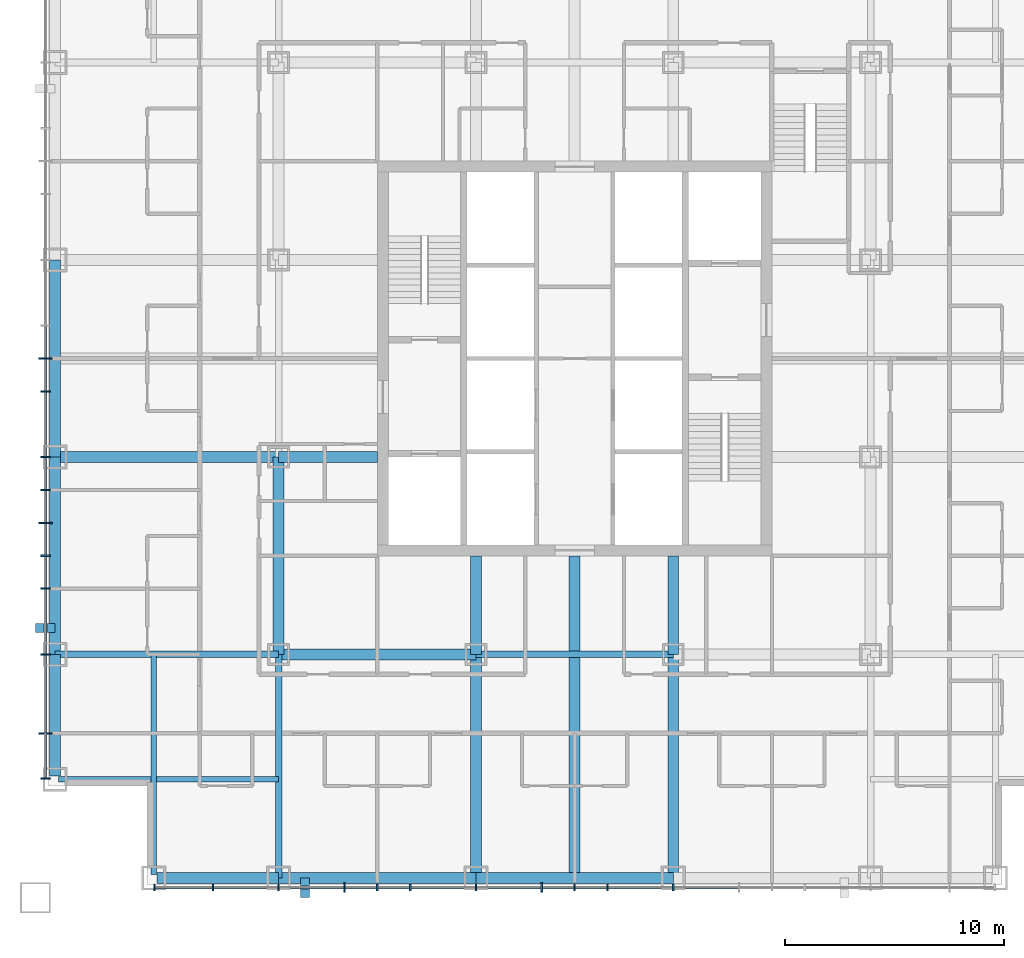
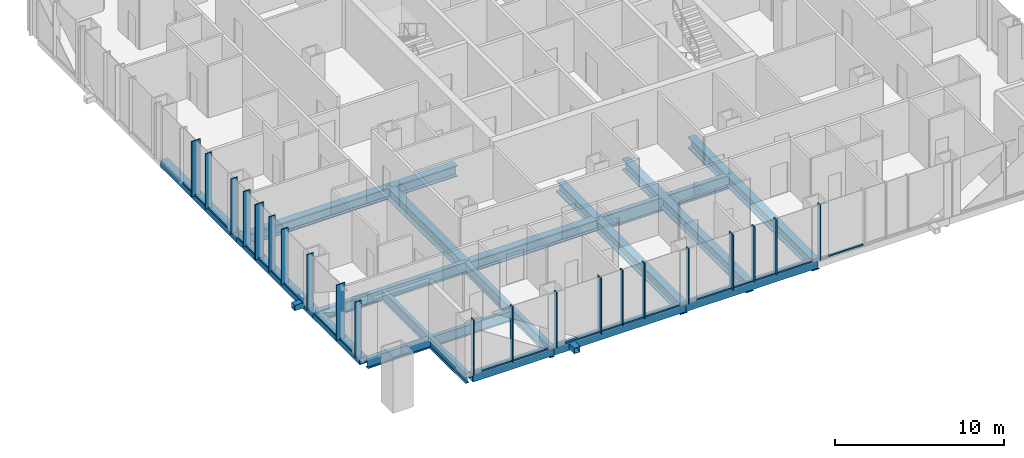
# One storey, part 2 of 14: 44 members, 20 beams, 2 elements without a shape of their own.
"""IFC4 building model written with IfcOpenShell, lengths in metres."""

from ifc_helpers import new_model, si_unit, direction, frame, origin, origin_2d, place, context, subcontext, project, spatial, rectangle, hollow_rectangle, i_section, extrude, material, layer, layer_set, material_profile, profile_set, type_object, element, aggregate, save


model = new_model("IFC4")

# Units and contexts
model_context = context("Model", 3, precision=1e-05, world=origin(), true_north=direction((0.0, 1.0)))
body_context = subcontext(model_context, "Body", "Model", "MODEL_VIEW")
ifc_project = project(units=[si_unit("LENGTHUNIT", "METRE"), si_unit("AREAUNIT", "SQUARE_METRE"), si_unit("VOLUMEUNIT", "CUBIC_METRE"), si_unit("PLANEANGLEUNIT", "RADIAN"), si_unit("MASSUNIT", "GRAM", prefix="KILO")], contexts=[model_context])

# Site, building, storey
site_placement = place(None, origin())
site = spatial("IfcSite", under=ifc_project, at=site_placement, CompositionType="ELEMENT")
building_placement = place(site_placement, origin())
building = spatial("IfcBuilding", under=site, at=building_placement, Name="Malebo Sky Hospital", CompositionType="ELEMENT")
storey_placement = place(building_placement, frame((0.0, 0.0, 164.0)))
storey = spatial("IfcBuildingStorey", under=building, at=storey_placement, Name="L39", CompositionType="ELEMENT", Elevation=164.0)

# Curtain wall, members
ifc_material_1 = material(Name="Anodised aluminium, natural silver", Category="aluminium")
ifc_layer_1 = layer(ifc_material_1, 0.25)
ifc_layer_set_1 = layer_set([ifc_layer_1], Name="WARD CURTAIN WALL EAST AND WEST")
curtain_wall_type_1 = type_object("IfcCurtainWallType", Name="WARD CURTAIN WALL EAST AND WEST", PredefinedType="NOTDEFINED", material=ifc_layer_set_1)
curtain_wall_1_placement = place(storey_placement, origin())
curtain_wall_1 = element("IfcCurtainWall", 1, at=curtain_wall_1_placement, inside=storey, type_object=curtain_wall_type_1, Name="EW curtain wall W", PredefinedType="NOTDEFINED")
ifc_material_profile_1 = material_profile(ifc_material_1, rectangle(XDim=0.14990234375, YDim=0.10009765625, at=origin_2d()), Name="ALUMINIUM TRANSOM 150x100")
ifc_profile_set_1 = profile_set([ifc_material_profile_1], Name="Anodised aluminium, natural silver")
member_type_1 = type_object("IfcMemberType", Name="ALUMINIUM TRANSOM 150x100", PredefinedType="USERDEFINED", material=ifc_profile_set_1)
member_1_placement = place(storey_placement, frame((35.864990234375, 42.875, 0.050048828125), z_axis=(0.0, 1.0, 0.0), x_axis=(-1.0, 0.0, 0.0)))
member_1 = element("IfcMember", 2, at=member_1_placement, type_object=member_type_1, Name="Transom 1", ObjectType="TRANSOM", PredefinedType="USERDEFINED", context=body_context, shape_type="SweptSolid", body=[
    extrude(rectangle(XDim=0.14990234375, YDim=0.10009765625, at=origin_2d()), origin(), (0.0, 0.0, 1.0), 1.987548828125),
])
member_2_placement = place(storey_placement, frame((35.864990234375, 44.9375, 0.050048828125), z_axis=(0.0, 1.0, 0.0), x_axis=(-1.0, 0.0, 0.0)))
member_2 = element("IfcMember", 3, at=member_2_placement, type_object=member_type_1, Name="Transom 2", ObjectType="TRANSOM", PredefinedType="USERDEFINED", context=body_context, shape_type="SweptSolid", body=[
    extrude(rectangle(XDim=0.14990234375, YDim=0.10009765625, at=origin_2d()), origin(), (0.0, 0.0, 1.0), 3.52490234375),
])
member_3_placement = place(storey_placement, frame((35.864990234375, 48.53759765625, 0.050048828125), z_axis=(0.0, 1.0, 0.0), x_axis=(-1.0, 0.0, 0.0)))
member_3 = element("IfcMember", 4, at=member_3_placement, type_object=member_type_1, Name="Transom 3", ObjectType="TRANSOM", PredefinedType="USERDEFINED", context=body_context, shape_type="SweptSolid", body=[
    extrude(rectangle(XDim=0.14990234375, YDim=0.10009765625, at=origin_2d()), origin(), (0.0, 0.0, 1.0), 2.9248046875),
])
member_4_placement = place(storey_placement, frame((35.864990234375, 51.53759765625, 0.050048828125), z_axis=(0.0, 1.0, 0.0), x_axis=(-1.0, 0.0, 0.0)))
member_4 = element("IfcMember", 5, at=member_4_placement, type_object=member_type_1, Name="Transom 4", ObjectType="TRANSOM", PredefinedType="USERDEFINED", context=body_context, shape_type="SweptSolid", body=[
    extrude(rectangle(XDim=0.14990234375, YDim=0.10009765625, at=origin_2d()), origin(), (0.0, 0.0, 1.0), 1.4248046875),
])
member_5_placement = place(storey_placement, frame((35.864990234375, 53.03759765625, 0.050048828125), z_axis=(0.0, 1.0, 0.0), x_axis=(-1.0, 0.0, 0.0)))
member_5 = element("IfcMember", 6, at=member_5_placement, type_object=member_type_1, Name="Transom 5", ObjectType="TRANSOM", PredefinedType="USERDEFINED", context=body_context, shape_type="SweptSolid", body=[
    extrude(rectangle(XDim=0.14990234375, YDim=0.10009765625, at=origin_2d()), origin(), (0.0, 0.0, 1.0), 1.4248046875),
])
member_6_placement = place(storey_placement, frame((35.864990234375, 54.53759765625, 0.050048828125), z_axis=(0.0, 1.0, 0.0), x_axis=(-1.0, 0.0, 0.0)))
member_6 = element("IfcMember", 7, at=member_6_placement, type_object=member_type_1, Name="Transom 6", ObjectType="TRANSOM", PredefinedType="USERDEFINED", context=body_context, shape_type="SweptSolid", body=[
    extrude(rectangle(XDim=0.14990234375, YDim=0.10009765625, at=origin_2d()), origin(), (0.0, 0.0, 1.0), 1.4248046875),
])
member_7_placement = place(storey_placement, frame((35.864990234375, 56.03759765625, 0.050048828125), z_axis=(0.0, 1.0, 0.0), x_axis=(-1.0, 0.0, 0.0)))
member_7 = element("IfcMember", 8, at=member_7_placement, type_object=member_type_1, Name="Transom 7", ObjectType="TRANSOM", PredefinedType="USERDEFINED", context=body_context, shape_type="SweptSolid", body=[
    extrude(rectangle(XDim=0.14990234375, YDim=0.10009765625, at=origin_2d()), origin(), (0.0, 0.0, 1.0), 1.4248046875),
])
member_8_placement = place(storey_placement, frame((35.864990234375, 57.53759765625, 0.050048828125), z_axis=(0.0, 1.0, 0.0), x_axis=(-1.0, 0.0, 0.0)))
member_8 = element("IfcMember", 9, at=member_8_placement, type_object=member_type_1, Name="Transom 8", ObjectType="TRANSOM", PredefinedType="USERDEFINED", context=body_context, shape_type="SweptSolid", body=[
    extrude(rectangle(XDim=0.14990234375, YDim=0.10009765625, at=origin_2d()), origin(), (0.0, 0.0, 1.0), 2.9248046875),
])
member_9_placement = place(storey_placement, frame((35.864990234375, 60.53759765625, 0.050048828125), z_axis=(0.0, 1.0, 0.0), x_axis=(-1.0, 0.0, 0.0)))
member_9 = element("IfcMember", 10, at=member_9_placement, type_object=member_type_1, Name="Transom 9", ObjectType="TRANSOM", PredefinedType="USERDEFINED", context=body_context, shape_type="SweptSolid", body=[
    extrude(rectangle(XDim=0.14990234375, YDim=0.10009765625, at=origin_2d()), origin(), (0.0, 0.0, 1.0), 1.4248046875),
])
member_10_placement = place(storey_placement, frame((35.864990234375, 62.03759765625, 0.050048828125), z_axis=(0.0, 1.0, 0.0), x_axis=(-1.0, 0.0, 0.0)))
member_10 = element("IfcMember", 11, at=member_10_placement, type_object=member_type_1, Name="Transom 10", ObjectType="TRANSOM", PredefinedType="USERDEFINED", context=body_context, shape_type="SweptSolid", body=[
    extrude(rectangle(XDim=0.14990234375, YDim=0.10009765625, at=origin_2d()), origin(), (0.0, 0.0, 1.0), 1.4248046875),
])

ifc_layer_2 = layer(ifc_material_1, 0.25)
ifc_layer_set_2 = layer_set([ifc_layer_2], Name="WARD CURTAIN WALL NORTH AND SOUTH")
curtain_wall_type_2 = type_object("IfcCurtainWallType", Name="WARD CURTAIN WALL NORTH AND SOUTH", PredefinedType="NOTDEFINED", material=ifc_layer_set_2)
curtain_wall_2_placement = place(storey_placement, origin())
curtain_wall_2 = element("IfcCurtainWall", 12, at=curtain_wall_2_placement, inside=storey, type_object=curtain_wall_type_2, Name="NS curtain wall S", PredefinedType="NOTDEFINED")
member_11_placement = place(storey_placement, frame((67.46240234375, 37.864990234375, 0.050048828125), z_axis=(-1.0, 0.0, 0.0), x_axis=(0.0, -1.0, 0.0)))
member_11 = element("IfcMember", 13, at=member_11_placement, type_object=member_type_1, Name="Transom 6", ObjectType="TRANSOM", PredefinedType="USERDEFINED", context=body_context, shape_type="SweptSolid", body=[
    extrude(rectangle(XDim=0.14990234375, YDim=0.10009765625, at=origin_2d()), origin(), (0.0, 0.0, 1.0), 2.9248046875),
])
member_12_placement = place(storey_placement, frame((64.46240234375, 37.864990234375, 0.050048828125), z_axis=(-1.0, 0.0, 0.0), x_axis=(0.0, -1.0, 0.0)))
member_12 = element("IfcMember", 14, at=member_12_placement, type_object=member_type_1, Name="Transom 7", ObjectType="TRANSOM", PredefinedType="USERDEFINED", context=body_context, shape_type="SweptSolid", body=[
    extrude(rectangle(XDim=0.14990234375, YDim=0.10009765625, at=origin_2d()), origin(), (0.0, 0.0, 1.0), 2.9248046875),
])
member_13_placement = place(storey_placement, frame((61.46240234375, 37.864990234375, 0.050048828125), z_axis=(-1.0, 0.0, 0.0), x_axis=(0.0, -1.0, 0.0)))
member_13 = element("IfcMember", 15, at=member_13_placement, type_object=member_type_1, Name="Transom 8", ObjectType="TRANSOM", PredefinedType="USERDEFINED", context=body_context, shape_type="SweptSolid", body=[
    extrude(rectangle(XDim=0.14990234375, YDim=0.10009765625, at=origin_2d()), origin(), (0.0, 0.0, 1.0), 1.4248046875),
])
member_14_placement = place(storey_placement, frame((59.96240234375, 37.864990234375, 0.050048828125), z_axis=(-1.0, 0.0, 0.0), x_axis=(0.0, -1.0, 0.0)))
member_14 = element("IfcMember", 16, at=member_14_placement, type_object=member_type_1, Name="Transom 9", ObjectType="TRANSOM", PredefinedType="USERDEFINED", context=body_context, shape_type="SweptSolid", body=[
    extrude(rectangle(XDim=0.14990234375, YDim=0.10009765625, at=origin_2d()), origin(), (0.0, 0.0, 1.0), 1.4248046875),
])
member_15_placement = place(storey_placement, frame((58.46240234375, 37.864990234375, 0.050048828125), z_axis=(-1.0, 0.0, 0.0), x_axis=(0.0, -1.0, 0.0)))
member_15 = element("IfcMember", 17, at=member_15_placement, type_object=member_type_1, Name="Transom 10", ObjectType="TRANSOM", PredefinedType="USERDEFINED", context=body_context, shape_type="SweptSolid", body=[
    extrude(rectangle(XDim=0.14990234375, YDim=0.10009765625, at=origin_2d()), origin(), (0.0, 0.0, 1.0), 2.9248046875),
])
member_16_placement = place(storey_placement, frame((55.46240234375, 37.864990234375, 0.050048828125), z_axis=(-1.0, 0.0, 0.0), x_axis=(0.0, -1.0, 0.0)))
member_16 = element("IfcMember", 18, at=member_16_placement, type_object=member_type_1, Name="Transom 11", ObjectType="TRANSOM", PredefinedType="USERDEFINED", context=body_context, shape_type="SweptSolid", body=[
    extrude(rectangle(XDim=0.14990234375, YDim=0.10009765625, at=origin_2d()), origin(), (0.0, 0.0, 1.0), 2.9248046875),
])
member_17_placement = place(storey_placement, frame((52.46240234375, 37.864990234375, 0.050048828125), z_axis=(-1.0, 0.0, 0.0), x_axis=(0.0, -1.0, 0.0)))
member_17 = element("IfcMember", 19, at=member_17_placement, type_object=member_type_1, Name="Transom 12", ObjectType="TRANSOM", PredefinedType="USERDEFINED", context=body_context, shape_type="SweptSolid", body=[
    extrude(rectangle(XDim=0.14990234375, YDim=0.10009765625, at=origin_2d()), origin(), (0.0, 0.0, 1.0), 1.4248046875),
])
member_18_placement = place(storey_placement, frame((50.96240234375, 37.864990234375, 0.050048828125), z_axis=(-1.0, 0.0, 0.0), x_axis=(0.0, -1.0, 0.0)))
member_18 = element("IfcMember", 20, at=member_18_placement, type_object=member_type_1, Name="Transom 13", ObjectType="TRANSOM", PredefinedType="USERDEFINED", context=body_context, shape_type="SweptSolid", body=[
    extrude(rectangle(XDim=0.14990234375, YDim=0.10009765625, at=origin_2d()), origin(), (0.0, 0.0, 1.0), 1.4248046875),
])
member_19_placement = place(storey_placement, frame((49.46240234375, 37.864990234375, 0.050048828125), z_axis=(-1.0, 0.0, 0.0), x_axis=(0.0, -1.0, 0.0)))
member_19 = element("IfcMember", 21, at=member_19_placement, type_object=member_type_1, Name="Transom 14", ObjectType="TRANSOM", PredefinedType="USERDEFINED", context=body_context, shape_type="SweptSolid", body=[
    extrude(rectangle(XDim=0.14990234375, YDim=0.10009765625, at=origin_2d()), origin(), (0.0, 0.0, 1.0), 2.9248046875),
])
member_20_placement = place(storey_placement, frame((46.46240234375, 37.864990234375, 0.050048828125), z_axis=(-1.0, 0.0, 0.0), x_axis=(0.0, -1.0, 0.0)))
member_20 = element("IfcMember", 22, at=member_20_placement, type_object=member_type_1, Name="Transom 15", ObjectType="TRANSOM", PredefinedType="USERDEFINED", context=body_context, shape_type="SweptSolid", body=[
    extrude(rectangle(XDim=0.14990234375, YDim=0.10009765625, at=origin_2d()), origin(), (0.0, 0.0, 1.0), 2.9248046875),
])
member_21_placement = place(storey_placement, frame((43.46240234375, 37.864990234375, 0.050048828125), z_axis=(-1.0, 0.0, 0.0), x_axis=(0.0, -1.0, 0.0)))
member_21 = element("IfcMember", 23, at=member_21_placement, type_object=member_type_1, Name="Transom 16", ObjectType="TRANSOM", PredefinedType="USERDEFINED", context=body_context, shape_type="SweptSolid", body=[
    extrude(rectangle(XDim=0.14990234375, YDim=0.10009765625, at=origin_2d()), origin(), (0.0, 0.0, 1.0), 2.58740234375),
])

# Members
ifc_material_2 = material(Name="Steel S355", Category="steel")
ifc_material_profile_2 = material_profile(ifc_material_2, hollow_rectangle(XDim=0.39990234375, YDim=0.39990234375, WallThickness=0.02001953125, at=origin_2d()), Name="SHS 400x20")
ifc_profile_set_2 = profile_set([ifc_material_profile_2], Name="Steel S355")
member_type_2 = type_object("IfcMemberType", Name="BRACE STRUT SHS 400x20", PredefinedType="STRUT", material=ifc_profile_set_2)
for number, where, z_axis, x_axis, name in (
    (24, (47.699951171875, 37.39990234375, -0.39990234375), (0.0, 1.0, 0.0), (-1.0, 0.0, 0.0), "Brace strut BS2 L39"),
    (25, (35.39990234375, 49.699951171875, -0.39990234375), (1.0, 0.0, 0.0), (0.0, 1.0, 0.0), "Brace strut BW1 L39"),
):
    element("IfcMember", number, at=place(storey_placement, frame(where, z_axis=z_axis, x_axis=x_axis)), inside=storey, type_object=member_type_2, Name=name, PredefinedType="STRUT", context=body_context, shape_type="SweptSolid", body=[
        extrude(hollow_rectangle(XDim=0.39990234375, YDim=0.39990234375, WallThickness=0.02001953125, at=origin_2d()), origin(), (0.0, 0.0, 1.0), 0.900146484375),
    ])

# Member
ifc_material_profile_3 = material_profile(ifc_material_1, rectangle(XDim=0.074951171875, YDim=0.300048828125, at=origin_2d()), Name="CW1 ALUMINIUM FIN MULLION 75x300")
ifc_profile_set_3 = profile_set([ifc_material_profile_3], Name="Anodised aluminium, natural silver")
member_type_3 = type_object("IfcMemberType", Name="CW1 ALUMINIUM FIN MULLION 75x300", PredefinedType="MULLION", material=ifc_profile_set_3)
member_22_placement = place(storey_placement, frame((64.5, 37.864990234375, 0.0), z_axis=(0.0, 0.0, 1.0), x_axis=(-1.0, 0.0, 0.0)))
member_22 = element("IfcMember", 26, at=member_22_placement, type_object=member_type_3, Name="Fin mullion 7", PredefinedType="MULLION", context=body_context, shape_type="SweptSolid", body=[
    extrude(rectangle(XDim=0.074951171875, YDim=0.300048828125, at=origin_2d()), origin(), (0.0, 0.0, 1.0), 4.0),
])

member_23_placement = place(storey_placement, frame((61.5, 37.864990234375, 0.0), z_axis=(0.0, 0.0, 1.0), x_axis=(-1.0, 0.0, 0.0)))
member_23 = element("IfcMember", 27, at=member_23_placement, type_object=member_type_3, Name="Fin mullion 8", PredefinedType="MULLION", context=body_context, shape_type="SweptSolid", body=[
    extrude(rectangle(XDim=0.074951171875, YDim=0.300048828125, at=origin_2d()), origin(), (0.0, 0.0, 1.0), 4.0),
])

member_24_placement = place(storey_placement, frame((60.0, 37.864990234375, 0.0), z_axis=(0.0, 0.0, 1.0), x_axis=(-1.0, 0.0, 0.0)))
member_24 = element("IfcMember", 28, at=member_24_placement, type_object=member_type_3, Name="Fin mullion 9", PredefinedType="MULLION", context=body_context, shape_type="SweptSolid", body=[
    extrude(rectangle(XDim=0.074951171875, YDim=0.300048828125, at=origin_2d()), origin(), (0.0, 0.0, 1.0), 4.0),
])

member_25_placement = place(storey_placement, frame((55.5, 37.864990234375, 0.0), z_axis=(0.0, 0.0, 1.0), x_axis=(-1.0, 0.0, 0.0)))
member_25 = element("IfcMember", 29, at=member_25_placement, type_object=member_type_3, Name="Fin mullion 11", PredefinedType="MULLION", context=body_context, shape_type="SweptSolid", body=[
    extrude(rectangle(XDim=0.074951171875, YDim=0.300048828125, at=origin_2d()), origin(), (0.0, 0.0, 1.0), 4.0),
])

member_26_placement = place(storey_placement, frame((52.5, 37.864990234375, 0.0), z_axis=(0.0, 0.0, 1.0), x_axis=(-1.0, 0.0, 0.0)))
member_26 = element("IfcMember", 30, at=member_26_placement, type_object=member_type_3, Name="Fin mullion 12", PredefinedType="MULLION", context=body_context, shape_type="SweptSolid", body=[
    extrude(rectangle(XDim=0.074951171875, YDim=0.300048828125, at=origin_2d()), origin(), (0.0, 0.0, 1.0), 4.0),
])

member_27_placement = place(storey_placement, frame((51.0, 37.864990234375, 0.0), z_axis=(0.0, 0.0, 1.0), x_axis=(-1.0, 0.0, 0.0)))
member_27 = element("IfcMember", 31, at=member_27_placement, type_object=member_type_3, Name="Fin mullion 13", PredefinedType="MULLION", context=body_context, shape_type="SweptSolid", body=[
    extrude(rectangle(XDim=0.074951171875, YDim=0.300048828125, at=origin_2d()), origin(), (0.0, 0.0, 1.0), 4.0),
])

member_28_placement = place(storey_placement, frame((46.5, 37.864990234375, 0.0), z_axis=(0.0, 0.0, 1.0), x_axis=(-1.0, 0.0, 0.0)))
member_28 = element("IfcMember", 32, at=member_28_placement, type_object=member_type_3, Name="Fin mullion 15", PredefinedType="MULLION", context=body_context, shape_type="SweptSolid", body=[
    extrude(rectangle(XDim=0.074951171875, YDim=0.300048828125, at=origin_2d()), origin(), (0.0, 0.0, 1.0), 4.0),
])

member_29_placement = place(storey_placement, frame((43.5, 37.864990234375, 0.0), z_axis=(0.0, 0.0, 1.0), x_axis=(-1.0, 0.0, 0.0)))
member_29 = element("IfcMember", 33, at=member_29_placement, type_object=member_type_3, Name="Fin mullion 16", PredefinedType="MULLION", context=body_context, shape_type="SweptSolid", body=[
    extrude(rectangle(XDim=0.074951171875, YDim=0.300048828125, at=origin_2d()), origin(), (0.0, 0.0, 1.0), 4.0),
])

member_30_placement = place(storey_placement, frame((40.83740234375, 37.864990234375, 0.0), z_axis=(0.0, 0.0, 1.0), x_axis=(-1.0, 0.0, 0.0)))
member_30 = element("IfcMember", 34, at=member_30_placement, type_object=member_type_3, Name="Fin mullion 17", PredefinedType="MULLION", context=body_context, shape_type="SweptSolid", body=[
    extrude(rectangle(XDim=0.074951171875, YDim=0.300048828125, at=origin_2d()), origin(), (0.0, 0.0, 1.0), 4.0),
])

ifc_material_profile_4 = material_profile(ifc_material_1, rectangle(XDim=0.074951171875, YDim=0.449951171875, at=origin_2d()), Name="CW1 ALUMINIUM FIN MULLION 75x450")
ifc_profile_set_4 = profile_set([ifc_material_profile_4], Name="Anodised aluminium, natural silver")
member_type_4 = type_object("IfcMemberType", Name="CW1 ALUMINIUM FIN MULLION 75x450", PredefinedType="MULLION", material=ifc_profile_set_4)
member_31_placement = place(storey_placement, frame((58.5, 37.864990234375, 0.0), z_axis=(0.0, 0.0, 1.0), x_axis=(-1.0, 0.0, 0.0)))
member_31 = element("IfcMember", 35, at=member_31_placement, type_object=member_type_4, Name="Fin mullion 10", PredefinedType="MULLION", context=body_context, shape_type="SweptSolid", body=[
    extrude(rectangle(XDim=0.074951171875, YDim=0.449951171875, at=origin_2d()), origin(), (0.0, 0.0, 1.0), 4.0),
])

member_32_placement = place(storey_placement, frame((49.5, 37.864990234375, 0.0), z_axis=(0.0, 0.0, 1.0), x_axis=(-1.0, 0.0, 0.0)))
member_32 = element("IfcMember", 36, at=member_32_placement, type_object=member_type_4, Name="Fin mullion 14", PredefinedType="MULLION", context=body_context, shape_type="SweptSolid", body=[
    extrude(rectangle(XDim=0.074951171875, YDim=0.449951171875, at=origin_2d()), origin(), (0.0, 0.0, 1.0), 4.0),
])

aggregate(curtain_wall_2, [member_22, member_23, member_24, member_31, member_25, member_26, member_27, member_32, member_28, member_29, member_30, member_11, member_12, member_13, member_14, member_15, member_16, member_17, member_18, member_19, member_20, member_21])

ifc_material_profile_5 = material_profile(ifc_material_1, rectangle(XDim=0.074951171875, YDim=0.449951171875, at=origin_2d()), Name="CW2 ALUMINIUM FIN MULLION 75x450")
ifc_profile_set_5 = profile_set([ifc_material_profile_5], Name="Anodised aluminium, natural silver")
member_type_5 = type_object("IfcMemberType", Name="CW2 ALUMINIUM FIN MULLION 75x450", PredefinedType="MULLION", material=ifc_profile_set_5)
member_33_placement = place(storey_placement, frame((35.864990234375, 42.83740234375, 0.0), z_axis=(0.0, 0.0, 1.0), x_axis=(0.0, 1.0, 0.0)))
member_33 = element("IfcMember", 37, at=member_33_placement, type_object=member_type_5, Name="Fin mullion 1", PredefinedType="MULLION", context=body_context, shape_type="SweptSolid", body=[
    extrude(rectangle(XDim=0.074951171875, YDim=0.449951171875, at=origin_2d()), origin(), (0.0, 0.0, 1.0), 4.0),
])

member_34_placement = place(storey_placement, frame((35.864990234375, 48.5, 0.0), z_axis=(0.0, 0.0, 1.0), x_axis=(0.0, 1.0, 0.0)))
member_34 = element("IfcMember", 38, at=member_34_placement, type_object=member_type_5, Name="Fin mullion 3", PredefinedType="MULLION", context=body_context, shape_type="SweptSolid", body=[
    extrude(rectangle(XDim=0.074951171875, YDim=0.449951171875, at=origin_2d()), origin(), (0.0, 0.0, 1.0), 4.0),
])

member_35_placement = place(storey_placement, frame((35.864990234375, 51.5, 0.0), z_axis=(0.0, 0.0, 1.0), x_axis=(0.0, 1.0, 0.0)))
member_35 = element("IfcMember", 39, at=member_35_placement, type_object=member_type_5, Name="Fin mullion 4", PredefinedType="MULLION", context=body_context, shape_type="SweptSolid", body=[
    extrude(rectangle(XDim=0.074951171875, YDim=0.449951171875, at=origin_2d()), origin(), (0.0, 0.0, 1.0), 4.0),
])

member_36_placement = place(storey_placement, frame((35.864990234375, 53.0, 0.0), z_axis=(0.0, 0.0, 1.0), x_axis=(0.0, 1.0, 0.0)))
member_36 = element("IfcMember", 40, at=member_36_placement, type_object=member_type_5, Name="Fin mullion 5", PredefinedType="MULLION", context=body_context, shape_type="SweptSolid", body=[
    extrude(rectangle(XDim=0.074951171875, YDim=0.449951171875, at=origin_2d()), origin(), (0.0, 0.0, 1.0), 4.0),
])

member_37_placement = place(storey_placement, frame((35.864990234375, 56.0, 0.0), z_axis=(0.0, 0.0, 1.0), x_axis=(0.0, 1.0, 0.0)))
member_37 = element("IfcMember", 41, at=member_37_placement, type_object=member_type_5, Name="Fin mullion 7", PredefinedType="MULLION", context=body_context, shape_type="SweptSolid", body=[
    extrude(rectangle(XDim=0.074951171875, YDim=0.449951171875, at=origin_2d()), origin(), (0.0, 0.0, 1.0), 4.0),
])

member_38_placement = place(storey_placement, frame((35.864990234375, 57.5, 0.0), z_axis=(0.0, 0.0, 1.0), x_axis=(0.0, 1.0, 0.0)))
member_38 = element("IfcMember", 42, at=member_38_placement, type_object=member_type_5, Name="Fin mullion 8", PredefinedType="MULLION", context=body_context, shape_type="SweptSolid", body=[
    extrude(rectangle(XDim=0.074951171875, YDim=0.449951171875, at=origin_2d()), origin(), (0.0, 0.0, 1.0), 4.0),
])

member_39_placement = place(storey_placement, frame((35.864990234375, 60.5, 0.0), z_axis=(0.0, 0.0, 1.0), x_axis=(0.0, 1.0, 0.0)))
member_39 = element("IfcMember", 43, at=member_39_placement, type_object=member_type_5, Name="Fin mullion 9", PredefinedType="MULLION", context=body_context, shape_type="SweptSolid", body=[
    extrude(rectangle(XDim=0.074951171875, YDim=0.449951171875, at=origin_2d()), origin(), (0.0, 0.0, 1.0), 4.0),
])

ifc_material_profile_6 = material_profile(ifc_material_1, rectangle(XDim=0.074951171875, YDim=0.60009765625, at=origin_2d()), Name="CW2 ALUMINIUM FIN MULLION 75x600")
ifc_profile_set_6 = profile_set([ifc_material_profile_6], Name="Anodised aluminium, natural silver")
member_type_6 = type_object("IfcMemberType", Name="CW2 ALUMINIUM FIN MULLION 75x600", PredefinedType="MULLION", material=ifc_profile_set_6)
member_40_placement = place(storey_placement, frame((35.864990234375, 44.89990234375, 0.0), z_axis=(0.0, 0.0, 1.0), x_axis=(0.0, 1.0, 0.0)))
member_40 = element("IfcMember", 44, at=member_40_placement, type_object=member_type_6, Name="Fin mullion 2", PredefinedType="MULLION", context=body_context, shape_type="SweptSolid", body=[
    extrude(rectangle(XDim=0.074951171875, YDim=0.60009765625, at=origin_2d()), origin(), (0.0, 0.0, 1.0), 4.0),
])

member_41_placement = place(storey_placement, frame((35.864990234375, 54.5, 0.0), z_axis=(0.0, 0.0, 1.0), x_axis=(0.0, 1.0, 0.0)))
member_41 = element("IfcMember", 45, at=member_41_placement, type_object=member_type_6, Name="Fin mullion 6", PredefinedType="MULLION", context=body_context, shape_type="SweptSolid", body=[
    extrude(rectangle(XDim=0.074951171875, YDim=0.60009765625, at=origin_2d()), origin(), (0.0, 0.0, 1.0), 4.0),
])

member_42_placement = place(storey_placement, frame((35.864990234375, 62.0, 0.0), z_axis=(0.0, 0.0, 1.0), x_axis=(0.0, 1.0, 0.0)))
member_42 = element("IfcMember", 46, at=member_42_placement, type_object=member_type_6, Name="Fin mullion 10", PredefinedType="MULLION", context=body_context, shape_type="SweptSolid", body=[
    extrude(rectangle(XDim=0.074951171875, YDim=0.60009765625, at=origin_2d()), origin(), (0.0, 0.0, 1.0), 4.0),
])

aggregate(curtain_wall_1, [member_33, member_40, member_34, member_35, member_36, member_41, member_37, member_38, member_39, member_42, member_1, member_2, member_3, member_4, member_5, member_6, member_7, member_8, member_9, member_10])

# Beams
ifc_material_3 = material(Name="Steel S460", Category="steel")
ifc_material_profile_7 = material_profile(ifc_material_3, hollow_rectangle(XDim=0.5, YDim=0.5, WallThickness=0.030029296875, at=origin_2d()), Name="BOX 500x500x30")
ifc_profile_set_7 = profile_set([ifc_material_profile_7], Name="Steel S460")
beam_type_1 = type_object("IfcBeamType", Name="EDGE BEAM BOX 500x500x30", PredefinedType="BEAM", material=ifc_profile_set_7)
beam_1_placement = place(storey_placement, frame((36.300048828125, 42.949951171875, -0.5), z_axis=(0.0, 1.0, 0.0), x_axis=(-1.0, 0.0, 0.0)))
element("IfcBeam", 47, at=beam_1_placement, inside=storey, type_object=beam_type_1, Name="Beam 000 L39", PredefinedType="BEAM", context=body_context, shape_type="SweptSolid", body=[
    extrude(hollow_rectangle(XDim=0.5, YDim=0.5, WallThickness=0.030029296875, at=origin_2d()), origin(), (0.0, 0.0, 1.0), 5.550048828125),
])
for number, where, z_axis, x_axis, name in (
    (48, (36.300048828125, 48.5, -0.5), (0.0, 1.0, 0.0), (-1.0, 0.0, 0.0), "Beam 001 L39"),
    (49, (36.300048828125, 57.5, -0.5), (0.0, 1.0, 0.0), (-1.0, 0.0, 0.0), "Beam 002 L39"),
):
    element("IfcBeam", number, at=place(storey_placement, frame(where, z_axis=z_axis, x_axis=x_axis)), inside=storey, type_object=beam_type_1, Name=name, PredefinedType="BEAM", context=body_context, shape_type="SweptSolid", body=[
        extrude(hollow_rectangle(XDim=0.5, YDim=0.5, WallThickness=0.030029296875, at=origin_2d()), origin(), (0.0, 0.0, 1.0), 9.0),
    ])
beam_2_placement = place(storey_placement, frame((40.949951171875, 38.300048828125, -0.5), z_axis=(1.0, 0.0, 0.0), x_axis=(0.0, 1.0, 0.0)))
element("IfcBeam", 50, at=beam_2_placement, inside=storey, type_object=beam_type_1, Name="Beam 034 L39", PredefinedType="BEAM", context=body_context, shape_type="SweptSolid", body=[
    extrude(hollow_rectangle(XDim=0.5, YDim=0.5, WallThickness=0.030029296875, at=origin_2d()), origin(), (0.0, 0.0, 1.0), 5.550048828125),
])
for number, where, z_axis, x_axis, name in (
    (51, (46.5, 38.300048828125, -0.5), (1.0, 0.0, 0.0), (0.0, 1.0, 0.0), "Beam 035 L39"),
    (52, (55.5, 38.300048828125, -0.5), (1.0, 0.0, 0.0), (0.0, 1.0, 0.0), "Beam 036 L39"),
):
    element("IfcBeam", number, at=place(storey_placement, frame(where, z_axis=z_axis, x_axis=x_axis)), inside=storey, type_object=beam_type_1, Name=name, PredefinedType="BEAM", context=body_context, shape_type="SweptSolid", body=[
        extrude(hollow_rectangle(XDim=0.5, YDim=0.5, WallThickness=0.030029296875, at=origin_2d()), origin(), (0.0, 0.0, 1.0), 9.0),
    ])
ifc_material_profile_8 = material_profile(ifc_material_2, i_section(OverallWidth=0.262939453125, OverallDepth=0.7529296875, WebThickness=0.011474609375, FlangeThickness=0.01708984375, FilletRadius=0.01708984375, at=origin_2d()), Name="IPE 750x137")
ifc_profile_set_8 = profile_set([ifc_material_profile_8], Name="Steel S355")
beam_type_2 = type_object("IfcBeamType", Name="FLOOR BEAM IPE 750x137", PredefinedType="BEAM", material=ifc_profile_set_8)
for number, where, z_axis, x_axis, name in (
    (53, (40.800048828125, 38.449951171875, -0.62646484375), (0.0, 1.0, 0.0), (-1.0, 0.0, 0.0), "Beam 005 L39"),
    (54, (36.449951171875, 42.800048828125, -0.62646484375), (1.0, 0.0, 0.0), (0.0, 1.0, 0.0), "Beam 039 L39"),
):
    element("IfcBeam", number, at=place(storey_placement, frame(where, z_axis=z_axis, x_axis=x_axis)), inside=storey, type_object=beam_type_2, Name=name, PredefinedType="BEAM", context=body_context, shape_type="SweptSolid", body=[
        extrude(i_section(OverallWidth=0.262939453125, OverallDepth=0.7529296875, WebThickness=0.011474609375, FlangeThickness=0.01708984375, FilletRadius=0.01708984375, at=origin_2d()), origin(), (0.0, 0.0, 1.0), 10.050048828125),
    ])
ifc_material_profile_9 = material_profile(ifc_material_2, i_section(OverallWidth=0.5, OverallDepth=0.800048828125, WebThickness=0.030029296875, FlangeThickness=0.050048828125, at=origin_2d()), Name="PG 800x500x30x50")
ifc_profile_set_9 = profile_set([ifc_material_profile_9], Name="Steel S355")
beam_type_3 = type_object("IfcBeamType", Name="FLOOR BEAM PG 800x500x30x50", PredefinedType="BEAM", material=ifc_profile_set_9)
beam_3_placement = place(storey_placement, frame((46.5, 48.5, -0.64990234375), z_axis=(0.0, 1.0, 0.0), x_axis=(-1.0, 0.0, 0.0)))
element("IfcBeam", 55, at=beam_3_placement, inside=storey, type_object=beam_type_3, Name="Beam 008 L39", PredefinedType="BEAM", context=body_context, shape_type="SweptSolid", body=[
    extrude(i_section(OverallWidth=0.5, OverallDepth=0.800048828125, WebThickness=0.030029296875, FlangeThickness=0.050048828125, at=origin_2d()), origin(), (0.0, 0.0, 1.0), 9.0),
])
beam_4_placement = place(storey_placement, frame((55.5, 38.300048828125, -0.64990234375), z_axis=(0.0, 1.0, 0.0), x_axis=(-1.0, 0.0, 0.0)))
element("IfcBeam", 56, at=beam_4_placement, inside=storey, type_object=beam_type_3, Name="Beam 012 L39", PredefinedType="BEAM", context=body_context, shape_type="SweptSolid", body=[
    extrude(i_section(OverallWidth=0.5, OverallDepth=0.800048828125, WebThickness=0.030029296875, FlangeThickness=0.050048828125, at=origin_2d()), origin(), (0.0, 0.0, 1.0), 10.199951171875),
])
beam_5_placement = place(storey_placement, frame((55.5, 48.5, -0.64990234375), z_axis=(0.0, 1.0, 0.0), x_axis=(-1.0, 0.0, 0.0)))
element("IfcBeam", 57, at=beam_5_placement, inside=storey, type_object=beam_type_3, Name="Beam 013 L39", PredefinedType="BEAM", context=body_context, shape_type="SweptSolid", body=[
    extrude(i_section(OverallWidth=0.5, OverallDepth=0.800048828125, WebThickness=0.030029296875, FlangeThickness=0.050048828125, at=origin_2d()), origin(), (0.0, 0.0, 1.0), 4.5),
])
beam_6_placement = place(storey_placement, frame((60.0, 38.300048828125, -0.64990234375), z_axis=(0.0, 1.0, 0.0), x_axis=(-1.0, 0.0, 0.0)))
element("IfcBeam", 58, at=beam_6_placement, inside=storey, type_object=beam_type_3, Name="Beam 016 L39", PredefinedType="BEAM", context=body_context, shape_type="SweptSolid", body=[
    extrude(i_section(OverallWidth=0.5, OverallDepth=0.800048828125, WebThickness=0.030029296875, FlangeThickness=0.050048828125, at=origin_2d()), origin(), (0.0, 0.0, 1.0), 14.699951171875),
])
beam_7_placement = place(storey_placement, frame((64.5, 38.300048828125, -0.64990234375), z_axis=(0.0, 1.0, 0.0), x_axis=(-1.0, 0.0, 0.0)))
element("IfcBeam", 59, at=beam_7_placement, inside=storey, type_object=beam_type_3, Name="Beam 018 L39", PredefinedType="BEAM", context=body_context, shape_type="SweptSolid", body=[
    extrude(i_section(OverallWidth=0.5, OverallDepth=0.800048828125, WebThickness=0.030029296875, FlangeThickness=0.050048828125, at=origin_2d()), origin(), (0.0, 0.0, 1.0), 10.199951171875),
])
beam_8_placement = place(storey_placement, frame((64.5, 48.5, -0.64990234375), z_axis=(0.0, 1.0, 0.0), x_axis=(-1.0, 0.0, 0.0)))
element("IfcBeam", 60, at=beam_8_placement, inside=storey, type_object=beam_type_3, Name="Beam 019 L39", PredefinedType="BEAM", context=body_context, shape_type="SweptSolid", body=[
    extrude(i_section(OverallWidth=0.5, OverallDepth=0.800048828125, WebThickness=0.030029296875, FlangeThickness=0.050048828125, at=origin_2d()), origin(), (0.0, 0.0, 1.0), 4.5),
])
beam_9_placement = place(storey_placement, frame((46.5, 48.5, -0.64990234375), z_axis=(1.0, 0.0, 0.0), x_axis=(0.0, 1.0, 0.0)))
element("IfcBeam", 61, at=beam_9_placement, inside=storey, type_object=beam_type_3, Name="Beam 042 L39", PredefinedType="BEAM", context=body_context, shape_type="SweptSolid", body=[
    extrude(i_section(OverallWidth=0.5, OverallDepth=0.800048828125, WebThickness=0.030029296875, FlangeThickness=0.050048828125, at=origin_2d()), origin(), (0.0, 0.0, 1.0), 9.0),
])
beam_10_placement = place(storey_placement, frame((36.300048828125, 57.5, -0.64990234375), z_axis=(1.0, 0.0, 0.0), x_axis=(0.0, 1.0, 0.0)))
element("IfcBeam", 62, at=beam_10_placement, inside=storey, type_object=beam_type_3, Name="Beam 046 L39", PredefinedType="BEAM", context=body_context, shape_type="SweptSolid", body=[
    extrude(i_section(OverallWidth=0.5, OverallDepth=0.800048828125, WebThickness=0.030029296875, FlangeThickness=0.050048828125, at=origin_2d()), origin(), (0.0, 0.0, 1.0), 10.199951171875),
])
beam_11_placement = place(storey_placement, frame((46.5, 57.5, -0.64990234375), z_axis=(1.0, 0.0, 0.0), x_axis=(0.0, 1.0, 0.0)))
element("IfcBeam", 63, at=beam_11_placement, inside=storey, type_object=beam_type_3, Name="Beam 047 L39", PredefinedType="BEAM", context=body_context, shape_type="SweptSolid", body=[
    extrude(i_section(OverallWidth=0.5, OverallDepth=0.800048828125, WebThickness=0.030029296875, FlangeThickness=0.050048828125, at=origin_2d()), origin(), (0.0, 0.0, 1.0), 4.5),
])
ifc_material_profile_10 = material_profile(ifc_material_2, i_section(OverallWidth=0.300048828125, OverallDepth=0.800048828125, WebThickness=0.017578125, FlangeThickness=0.032958984375, FilletRadius=0.030029296875, at=origin_2d()), Name="HEB 800")
ifc_profile_set_10 = profile_set([ifc_material_profile_10], Name="Steel S355")
beam_type_4 = type_object("IfcBeamType", Name="FLOOR GIRDER HEB 800", PredefinedType="BEAM", material=ifc_profile_set_10)
for number, where, z_axis, x_axis, name in (
    (64, (46.5, 38.300048828125, -0.64990234375), (0.0, 1.0, 0.0), (-1.0, 0.0, 0.0), "Beam 007 L39"),
    (65, (36.300048828125, 48.5, -0.64990234375), (1.0, 0.0, 0.0), (0.0, 1.0, 0.0), "Beam 041 L39"),
):
    element("IfcBeam", number, at=place(storey_placement, frame(where, z_axis=z_axis, x_axis=x_axis)), inside=storey, type_object=beam_type_4, Name=name, PredefinedType="BEAM", context=body_context, shape_type="SweptSolid", body=[
        extrude(i_section(OverallWidth=0.300048828125, OverallDepth=0.800048828125, WebThickness=0.017578125, FlangeThickness=0.032958984375, FilletRadius=0.030029296875, at=origin_2d()), origin(), (0.0, 0.0, 1.0), 10.199951171875),
    ])
ifc_material_profile_11 = material_profile(ifc_material_2, i_section(OverallWidth=0.300048828125, OverallDepth=1.0, WebThickness=0.01904296875, FlangeThickness=0.035888671875, FilletRadius=0.030029296875, at=origin_2d()), Name="HEB 1000")
ifc_profile_set_11 = profile_set([ifc_material_profile_11], Name="Steel S355")
beam_type_5 = type_object("IfcBeamType", Name="RING GIRDER HEB 1000", PredefinedType="BEAM", material=ifc_profile_set_11)
beam_12_placement = place(storey_placement, frame((55.5, 48.5, -0.75), z_axis=(1.0, 0.0, 0.0), x_axis=(0.0, 1.0, 0.0)))
element("IfcBeam", 66, at=beam_12_placement, inside=storey, type_object=beam_type_5, Name="Beam 043 L39", PredefinedType="BEAM", context=body_context, shape_type="SweptSolid", body=[
    extrude(i_section(OverallWidth=0.300048828125, OverallDepth=1.0, WebThickness=0.01904296875, FlangeThickness=0.035888671875, FilletRadius=0.030029296875, at=origin_2d()), origin(), (0.0, 0.0, 1.0), 9.0),
])

save(model, "model.ifc")
